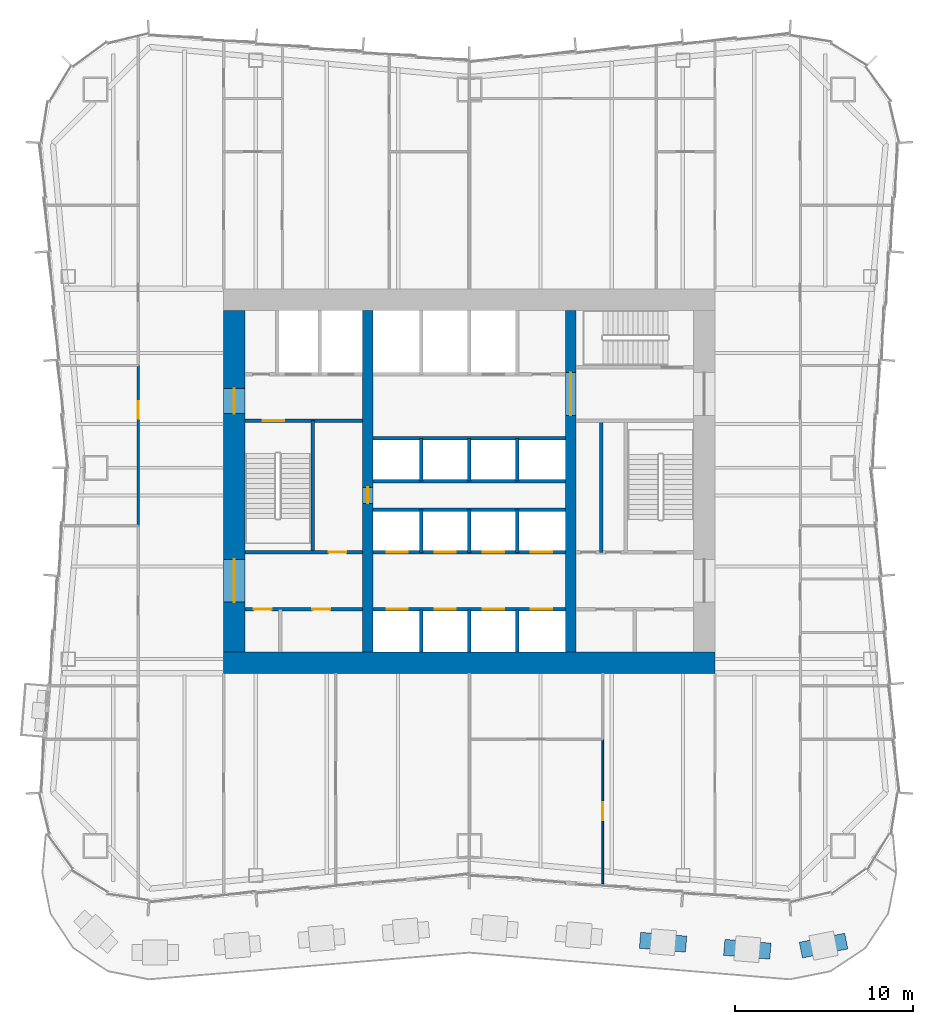
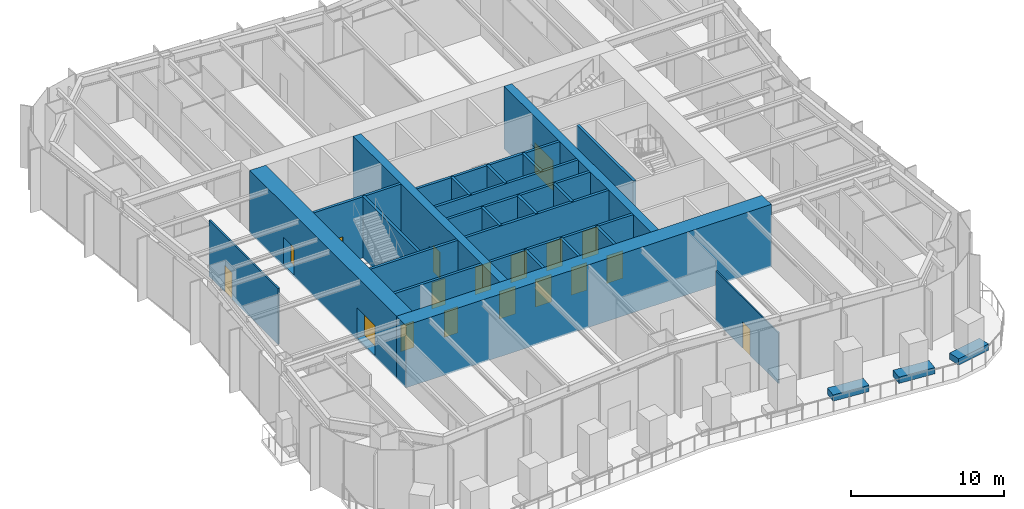
# One storey, part 9 of 15: 28 walls, 18 doors, 18 openings.
"""IFC4 building model written with IfcOpenShell, lengths in metres."""

from ifc_helpers import new_model, si_unit, direction, frame, frame_2d, origin, place, context, subcontext, project, spatial, rectangle, extrude, material, layer, layer_set, type_object, element, fill, save


model = new_model("IFC4")

# Units and contexts
model_context = context("Model", 3, precision=1e-05, world=origin(), true_north=direction((0.0, 1.0)))
body_context = subcontext(model_context, "Body", "Model", "MODEL_VIEW")
ifc_project = project(units=[si_unit("LENGTHUNIT", "METRE"), si_unit("AREAUNIT", "SQUARE_METRE"), si_unit("VOLUMEUNIT", "CUBIC_METRE"), si_unit("PLANEANGLEUNIT", "RADIAN"), si_unit("MASSUNIT", "GRAM", prefix="KILO")], contexts=[model_context])

# Site, building, storey
site_placement = place(None, origin())
site = spatial("IfcSite", under=ifc_project, at=site_placement, CompositionType="ELEMENT")
building_placement = place(site_placement, origin())
building = spatial("IfcBuilding", under=site, at=building_placement, Name="Verdant Reach Tower", CompositionType="ELEMENT")
storey_placement = place(building_placement, frame((0.0, 0.0, 65.0)))
storey = spatial("IfcBuildingStorey", under=building, at=storey_placement, Name="L14", CompositionType="ELEMENT", Elevation=65.0)

# Wall, openings, doors
ifc_material_1 = material(Name="Gypsum board on steel studs", Category="steel")
ifc_layer_1 = layer(ifc_material_1, 0.199951171875)
ifc_layer_set_1 = layer_set([ifc_layer_1], Name="CO-WALL-ROOM")
wall_type_1 = type_object("IfcWallType", Name="CO-WALL-ROOM", PredefinedType="PARTITIONING", material=ifc_layer_set_1)
wall_1_placement = place(storey_placement, frame((-12.60009765625, 20.800048828125, 0.0), z_axis=(0.0, 0.0, 1.0), x_axis=(1.0, 0.0, 0.0)))
wall_1 = element("IfcWall", 1, at=wall_1_placement, inside=storey, type_object=wall_type_1, Name="Core partition, L14", PredefinedType="PARTITIONING", context=body_context, shape_type="SweptSolid", body=[
    extrude(rectangle(XDim=6.60009765625, YDim=0.199951171875, at=frame_2d((3.300048828125, 0.0))), origin(), (0.0, 0.0, 1.0), 4.8701171875),
])
opening_1_placement = place(wall_1_placement, frame((0.489990234375, 0.0, 0.0)))
opening_1 = element("IfcOpeningElement", 2, at=opening_1_placement, cuts=wall_1, Name="Opening CD", PredefinedType="OPENING", context=body_context, shape_type="SweptSolid", body=[
    extrude(rectangle(XDim=1.0, YDim=2.10009765625, at=frame_2d((0.5, 1.050048828125))), frame((0.0, 0.10986328125, 0.0), z_axis=(0.0, -1.0, 0.0), x_axis=(1.0, 0.0, 0.0)), (0.0, 0.0, 1.0), 0.219970703125),
])
opening_2_placement = place(wall_1_placement, frame((3.7900390625, 0.0, 0.0)))
opening_2 = element("IfcOpeningElement", 3, at=opening_2_placement, cuts=wall_1, Name="Opening CD", PredefinedType="OPENING", context=body_context, shape_type="SweptSolid", body=[
    extrude(rectangle(XDim=1.0, YDim=2.10009765625, at=frame_2d((0.5, 1.050048828125))), frame((0.0, 0.10986328125, 0.0), z_axis=(0.0, -1.0, 0.0), x_axis=(1.0, 0.0, 0.0)), (0.0, 0.0, 1.0), 0.219970703125),
])
ifc_material_2 = material(Name="Timber", Category="wood")
door_type_1 = type_object("IfcDoorType", Name="CO-DOOR-ROOM", OperationType="NOTDEFINED", PredefinedType="DOOR", material=ifc_material_2)
door_1_placement = place(opening_1_placement, origin())
door_1 = element("IfcDoor", 4, at=door_1_placement, inside=storey, type_object=door_type_1, Name="Core room door, L14", OperationType="SINGLE_SWING_RIGHT", OverallHeight=2.10009765625, OverallWidth=1.0, PredefinedType="DOOR", context=body_context, shape_type="SweptSolid", body=[
    extrude(rectangle(XDim=1.0, YDim=2.10009765625, at=frame_2d((0.5, 1.050048828125))), frame((0.0, 0.02490234375, 0.0), z_axis=(0.0, -1.0, 0.0), x_axis=(1.0, 0.0, 0.0)), (0.0, 0.0, 1.0), 0.050048828125),
])
fill(opening_1, door_1)
door_2_placement = place(opening_2_placement, origin())
door_2 = element("IfcDoor", 5, at=door_2_placement, inside=storey, type_object=door_type_1, Name="Core room door, L14", OperationType="SINGLE_SWING_RIGHT", OverallHeight=2.10009765625, OverallWidth=1.0, PredefinedType="DOOR", context=body_context, shape_type="SweptSolid", body=[
    extrude(rectangle(XDim=1.0, YDim=2.10009765625, at=frame_2d((0.5, 1.050048828125))), frame((0.0, 0.02490234375, 0.0), z_axis=(0.0, -1.0, 0.0), x_axis=(1.0, 0.0, 0.0)), (0.0, 0.0, 1.0), 0.050048828125),
])
fill(opening_2, door_2)

# Wall
wall_2_placement = place(storey_placement, frame((7.39990234375, 24.0, 0.0), z_axis=(0.0, 0.0, 1.0), x_axis=(0.0, 1.0, 0.0)))
element("IfcWall", 6, at=wall_2_placement, inside=storey, type_object=wall_type_1, Name="Core partition, L14", PredefinedType="PARTITIONING", context=body_context, shape_type="SweptSolid", body=[
    extrude(rectangle(XDim=7.39990234375, YDim=0.199951171875, at=frame_2d((3.699951171875, 0.0))), origin(), (0.0, 0.0, 1.0), 4.8701171875),
])

# Wall, openings, doors
ifc_material_3 = material(Name="Concrete C40/50", Category="concrete")
ifc_layer_2 = layer(ifc_material_3, 0.199951171875)
ifc_layer_set_2 = layer_set([ifc_layer_2], Name="CO-WALL-SHAFT")
wall_type_2 = type_object("IfcWallType", Name="CO-WALL-SHAFT", PredefinedType="PARTITIONING", material=ifc_layer_set_2)
wall_3_placement = place(storey_placement, frame((-5.39990234375, 20.800048828125, 0.0), z_axis=(0.0, 0.0, 1.0), x_axis=(1.0, 0.0, 0.0)))
wall_3 = element("IfcWall", 7, at=wall_3_placement, inside=storey, type_object=wall_type_2, Name="Lift shaft wall, L14", PredefinedType="PARTITIONING", context=body_context, shape_type="SweptSolid", body=[
    extrude(rectangle(XDim=10.7998046875, YDim=0.199951171875, at=frame_2d((5.39990234375, 0.0))), origin(), (0.0, 0.0, 1.0), 4.8701171875),
])
opening_3_placement = place(wall_3_placement, frame((0.75, 0.0, 0.0)))
opening_3 = element("IfcOpeningElement", 8, at=opening_3_placement, cuts=wall_3, Name="Opening LD-A1", PredefinedType="OPENING", context=body_context, shape_type="SweptSolid", body=[
    extrude(rectangle(XDim=1.199951171875, YDim=2.199951171875, at=frame_2d((0.60009765625, 1.10009765625))), frame((0.0, 0.10986328125, 0.0), z_axis=(0.0, -1.0, 0.0), x_axis=(1.0, 0.0, 0.0)), (0.0, 0.0, 1.0), 0.219970703125),
])
opening_4_placement = place(wall_3_placement, frame((3.449951171875, 0.0, 0.0)))
opening_4 = element("IfcOpeningElement", 9, at=opening_4_placement, cuts=wall_3, Name="Opening LD-A2", PredefinedType="OPENING", context=body_context, shape_type="SweptSolid", body=[
    extrude(rectangle(XDim=1.199951171875, YDim=2.199951171875, at=frame_2d((0.60009765625, 1.10009765625))), frame((0.0, 0.10986328125, 0.0), z_axis=(0.0, -1.0, 0.0), x_axis=(1.0, 0.0, 0.0)), (0.0, 0.0, 1.0), 0.219970703125),
])
opening_5_placement = place(wall_3_placement, frame((6.14990234375, 0.0, 0.0)))
opening_5 = element("IfcOpeningElement", 10, at=opening_5_placement, cuts=wall_3, Name="Opening LD-A3", PredefinedType="OPENING", context=body_context, shape_type="SweptSolid", body=[
    extrude(rectangle(XDim=1.199951171875, YDim=2.199951171875, at=frame_2d((0.60009765625, 1.10009765625))), frame((0.0, 0.10986328125, 0.0), z_axis=(0.0, -1.0, 0.0), x_axis=(1.0, 0.0, 0.0)), (0.0, 0.0, 1.0), 0.219970703125),
])
opening_6_placement = place(wall_3_placement, frame((8.85009765625, 0.0, 0.0)))
opening_6 = element("IfcOpeningElement", 11, at=opening_6_placement, cuts=wall_3, Name="Opening LD-A4", PredefinedType="OPENING", context=body_context, shape_type="SweptSolid", body=[
    extrude(rectangle(XDim=1.199951171875, YDim=2.199951171875, at=frame_2d((0.60009765625, 1.10009765625))), frame((0.0, 0.10986328125, 0.0), z_axis=(0.0, -1.0, 0.0), x_axis=(1.0, 0.0, 0.0)), (0.0, 0.0, 1.0), 0.219970703125),
])
ifc_material_4 = material(Name="Stainless steel", Category="steel")
door_type_2 = type_object("IfcDoorType", Name="CO-DOOR-LANDING", OperationType="SLIDING_TO_LEFT", PredefinedType="DOOR", material=ifc_material_4)
door_3_placement = place(opening_3_placement, origin())
door_3 = element("IfcDoor", 12, at=door_3_placement, inside=storey, type_object=door_type_2, Name="Landing door A1, L14", OperationType="SLIDING_TO_LEFT", OverallHeight=2.199951171875, OverallWidth=1.199951171875, PredefinedType="DOOR", context=body_context, shape_type="SweptSolid", body=[
    extrude(rectangle(XDim=1.199951171875, YDim=2.199951171875, at=frame_2d((0.60009765625, 1.10009765625))), frame((0.0, 0.02490234375, 0.0), z_axis=(0.0, -1.0, 0.0), x_axis=(1.0, 0.0, 0.0)), (0.0, 0.0, 1.0), 0.050048828125),
])
fill(opening_3, door_3)
door_4_placement = place(opening_4_placement, origin())
door_4 = element("IfcDoor", 13, at=door_4_placement, inside=storey, type_object=door_type_2, Name="Landing door A2, L14", OperationType="SLIDING_TO_LEFT", OverallHeight=2.199951171875, OverallWidth=1.199951171875, PredefinedType="DOOR", context=body_context, shape_type="SweptSolid", body=[
    extrude(rectangle(XDim=1.199951171875, YDim=2.199951171875, at=frame_2d((0.60009765625, 1.10009765625))), frame((0.0, 0.02490234375, 0.0), z_axis=(0.0, -1.0, 0.0), x_axis=(1.0, 0.0, 0.0)), (0.0, 0.0, 1.0), 0.050048828125),
])
fill(opening_4, door_4)
door_5_placement = place(opening_5_placement, origin())
door_5 = element("IfcDoor", 14, at=door_5_placement, inside=storey, type_object=door_type_2, Name="Landing door A3, L14", OperationType="SLIDING_TO_LEFT", OverallHeight=2.199951171875, OverallWidth=1.199951171875, PredefinedType="DOOR", context=body_context, shape_type="SweptSolid", body=[
    extrude(rectangle(XDim=1.199951171875, YDim=2.199951171875, at=frame_2d((0.60009765625, 1.10009765625))), frame((0.0, 0.02490234375, 0.0), z_axis=(0.0, -1.0, 0.0), x_axis=(1.0, 0.0, 0.0)), (0.0, 0.0, 1.0), 0.050048828125),
])
fill(opening_5, door_5)
door_6_placement = place(opening_6_placement, origin())
door_6 = element("IfcDoor", 15, at=door_6_placement, inside=storey, type_object=door_type_2, Name="Landing door A4, L14", OperationType="SLIDING_TO_LEFT", OverallHeight=2.199951171875, OverallWidth=1.199951171875, PredefinedType="DOOR", context=body_context, shape_type="SweptSolid", body=[
    extrude(rectangle(XDim=1.199951171875, YDim=2.199951171875, at=frame_2d((0.60009765625, 1.10009765625))), frame((0.0, 0.02490234375, 0.0), z_axis=(0.0, -1.0, 0.0), x_axis=(1.0, 0.0, 0.0)), (0.0, 0.0, 1.0), 0.050048828125),
])
fill(opening_6, door_6)

wall_4_placement = place(storey_placement, frame((-5.39990234375, 24.0, 0.0), z_axis=(0.0, 0.0, 1.0), x_axis=(1.0, 0.0, 0.0)))
wall_4 = element("IfcWall", 16, at=wall_4_placement, inside=storey, type_object=wall_type_2, Name="Lift shaft wall, L14", PredefinedType="PARTITIONING", context=body_context, shape_type="SweptSolid", body=[
    extrude(rectangle(XDim=10.7998046875, YDim=0.199951171875, at=frame_2d((5.39990234375, 0.0))), origin(), (0.0, 0.0, 1.0), 4.8701171875),
])
opening_7_placement = place(wall_4_placement, frame((0.75, 0.0, 0.0)))
opening_7 = element("IfcOpeningElement", 17, at=opening_7_placement, cuts=wall_4, Name="Opening LD-A5", PredefinedType="OPENING", context=body_context, shape_type="SweptSolid", body=[
    extrude(rectangle(XDim=1.199951171875, YDim=2.199951171875, at=frame_2d((0.60009765625, 1.10009765625))), frame((0.0, 0.10986328125, 0.0), z_axis=(0.0, -1.0, 0.0), x_axis=(1.0, 0.0, 0.0)), (0.0, 0.0, 1.0), 0.219970703125),
])
opening_8_placement = place(wall_4_placement, frame((3.449951171875, 0.0, 0.0)))
opening_8 = element("IfcOpeningElement", 18, at=opening_8_placement, cuts=wall_4, Name="Opening LD-A6", PredefinedType="OPENING", context=body_context, shape_type="SweptSolid", body=[
    extrude(rectangle(XDim=1.199951171875, YDim=2.199951171875, at=frame_2d((0.60009765625, 1.10009765625))), frame((0.0, 0.10986328125, 0.0), z_axis=(0.0, -1.0, 0.0), x_axis=(1.0, 0.0, 0.0)), (0.0, 0.0, 1.0), 0.219970703125),
])
opening_9_placement = place(wall_4_placement, frame((6.14990234375, 0.0, 0.0)))
opening_9 = element("IfcOpeningElement", 19, at=opening_9_placement, cuts=wall_4, Name="Opening LD-A7", PredefinedType="OPENING", context=body_context, shape_type="SweptSolid", body=[
    extrude(rectangle(XDim=1.199951171875, YDim=2.199951171875, at=frame_2d((0.60009765625, 1.10009765625))), frame((0.0, 0.10986328125, 0.0), z_axis=(0.0, -1.0, 0.0), x_axis=(1.0, 0.0, 0.0)), (0.0, 0.0, 1.0), 0.219970703125),
])
opening_10_placement = place(wall_4_placement, frame((8.85009765625, 0.0, 0.0)))
opening_10 = element("IfcOpeningElement", 20, at=opening_10_placement, cuts=wall_4, Name="Opening LD-A8", PredefinedType="OPENING", context=body_context, shape_type="SweptSolid", body=[
    extrude(rectangle(XDim=1.199951171875, YDim=2.199951171875, at=frame_2d((0.60009765625, 1.10009765625))), frame((0.0, 0.10986328125, 0.0), z_axis=(0.0, -1.0, 0.0), x_axis=(1.0, 0.0, 0.0)), (0.0, 0.0, 1.0), 0.219970703125),
])
door_7_placement = place(opening_7_placement, origin())
door_7 = element("IfcDoor", 21, at=door_7_placement, inside=storey, type_object=door_type_2, Name="Landing door A5, L14", OperationType="SLIDING_TO_LEFT", OverallHeight=2.199951171875, OverallWidth=1.199951171875, PredefinedType="DOOR", context=body_context, shape_type="SweptSolid", body=[
    extrude(rectangle(XDim=1.199951171875, YDim=2.199951171875, at=frame_2d((0.60009765625, 1.10009765625))), frame((0.0, 0.02490234375, 0.0), z_axis=(0.0, -1.0, 0.0), x_axis=(1.0, 0.0, 0.0)), (0.0, 0.0, 1.0), 0.050048828125),
])
fill(opening_7, door_7)
door_8_placement = place(opening_8_placement, origin())
door_8 = element("IfcDoor", 22, at=door_8_placement, inside=storey, type_object=door_type_2, Name="Landing door A6, L14", OperationType="SLIDING_TO_LEFT", OverallHeight=2.199951171875, OverallWidth=1.199951171875, PredefinedType="DOOR", context=body_context, shape_type="SweptSolid", body=[
    extrude(rectangle(XDim=1.199951171875, YDim=2.199951171875, at=frame_2d((0.60009765625, 1.10009765625))), frame((0.0, 0.02490234375, 0.0), z_axis=(0.0, -1.0, 0.0), x_axis=(1.0, 0.0, 0.0)), (0.0, 0.0, 1.0), 0.050048828125),
])
fill(opening_8, door_8)
door_9_placement = place(opening_9_placement, origin())
door_9 = element("IfcDoor", 23, at=door_9_placement, inside=storey, type_object=door_type_2, Name="Landing door A7, L14", OperationType="SLIDING_TO_LEFT", OverallHeight=2.199951171875, OverallWidth=1.199951171875, PredefinedType="DOOR", context=body_context, shape_type="SweptSolid", body=[
    extrude(rectangle(XDim=1.199951171875, YDim=2.199951171875, at=frame_2d((0.60009765625, 1.10009765625))), frame((0.0, 0.02490234375, 0.0), z_axis=(0.0, -1.0, 0.0), x_axis=(1.0, 0.0, 0.0)), (0.0, 0.0, 1.0), 0.050048828125),
])
fill(opening_9, door_9)
door_10_placement = place(opening_10_placement, origin())
door_10 = element("IfcDoor", 24, at=door_10_placement, inside=storey, type_object=door_type_2, Name="Landing door A8, L14", OperationType="SLIDING_TO_LEFT", OverallHeight=2.199951171875, OverallWidth=1.199951171875, PredefinedType="DOOR", context=body_context, shape_type="SweptSolid", body=[
    extrude(rectangle(XDim=1.199951171875, YDim=2.199951171875, at=frame_2d((0.60009765625, 1.10009765625))), frame((0.0, 0.02490234375, 0.0), z_axis=(0.0, -1.0, 0.0), x_axis=(1.0, 0.0, 0.0)), (0.0, 0.0, 1.0), 0.050048828125),
])
fill(opening_10, door_10)

# Walls
for number, where, z_axis, x_axis, name in (
    (25, (-5.39990234375, 26.39990234375, 0.0), (0.0, 0.0, 1.0), (1.0, 0.0, 0.0), "Lift shaft wall, L14"),
    (26, (-5.39990234375, 28.0, 0.0), (0.0, 0.0, 1.0), (1.0, 0.0, 0.0), "Lift shaft wall, L14"),
    (27, (-5.39990234375, 30.39990234375, 0.0), (0.0, 0.0, 1.0), (1.0, 0.0, 0.0), "Lift shaft wall, L14"),
):
    element("IfcWall", number, at=place(storey_placement, frame(where, z_axis=z_axis, x_axis=x_axis)), inside=storey, type_object=wall_type_2, Name=name, PredefinedType="PARTITIONING", context=body_context, shape_type="SweptSolid", body=[
        extrude(rectangle(XDim=10.7998046875, YDim=0.199951171875, at=frame_2d((5.39990234375, 0.0))), origin(), (0.0, 0.0, 1.0), 4.8701171875),
    ])
wall_5_placement = place(storey_placement, frame((-2.699951171875, 18.39990234375, 0.0), z_axis=(0.0, 0.0, 1.0), x_axis=(0.0, 1.0, 0.0)))
element("IfcWall", 28, at=wall_5_placement, inside=storey, type_object=wall_type_2, Name="Lift shaft wall, L14", PredefinedType="PARTITIONING", context=body_context, shape_type="SweptSolid", body=[
    extrude(rectangle(XDim=2.400146484375, YDim=0.199951171875, at=frame_2d((1.2001953125, 0.0))), origin(), (0.0, 0.0, 1.0), 4.8701171875),
])
for number, where, z_axis, x_axis, name in (
    (29, (-2.699951171875, 24.0, 0.0), (0.0, 0.0, 1.0), (0.0, 1.0, 0.0), "Lift shaft wall, L14"),
    (30, (-2.699951171875, 28.0, 0.0), (0.0, 0.0, 1.0), (0.0, 1.0, 0.0), "Lift shaft wall, L14"),
):
    element("IfcWall", number, at=place(storey_placement, frame(where, z_axis=z_axis, x_axis=x_axis)), inside=storey, type_object=wall_type_2, Name=name, PredefinedType="PARTITIONING", context=body_context, shape_type="SweptSolid", body=[
        extrude(rectangle(XDim=2.39990234375, YDim=0.199951171875, at=frame_2d((1.199951171875, 0.0))), origin(), (0.0, 0.0, 1.0), 4.8701171875),
    ])
wall_6_placement = place(storey_placement, frame((0.0, 18.39990234375, 0.0), z_axis=(0.0, 0.0, 1.0), x_axis=(0.0, 1.0, 0.0)))
element("IfcWall", 31, at=wall_6_placement, inside=storey, type_object=wall_type_2, Name="Lift shaft wall, L14", PredefinedType="PARTITIONING", context=body_context, shape_type="SweptSolid", body=[
    extrude(rectangle(XDim=2.400146484375, YDim=0.199951171875, at=frame_2d((1.2001953125, 0.0))), origin(), (0.0, 0.0, 1.0), 4.8701171875),
])
for number, where, z_axis, x_axis, name in (
    (32, (0.0, 24.0, 0.0), (0.0, 0.0, 1.0), (0.0, 1.0, 0.0), "Lift shaft wall, L14"),
    (33, (0.0, 28.0, 0.0), (0.0, 0.0, 1.0), (0.0, 1.0, 0.0), "Lift shaft wall, L14"),
):
    element("IfcWall", number, at=place(storey_placement, frame(where, z_axis=z_axis, x_axis=x_axis)), inside=storey, type_object=wall_type_2, Name=name, PredefinedType="PARTITIONING", context=body_context, shape_type="SweptSolid", body=[
        extrude(rectangle(XDim=2.39990234375, YDim=0.199951171875, at=frame_2d((1.199951171875, 0.0))), origin(), (0.0, 0.0, 1.0), 4.8701171875),
    ])
wall_7_placement = place(storey_placement, frame((2.699951171875, 18.39990234375, 0.0), z_axis=(0.0, 0.0, 1.0), x_axis=(0.0, 1.0, 0.0)))
element("IfcWall", 34, at=wall_7_placement, inside=storey, type_object=wall_type_2, Name="Lift shaft wall, L14", PredefinedType="PARTITIONING", context=body_context, shape_type="SweptSolid", body=[
    extrude(rectangle(XDim=2.400146484375, YDim=0.199951171875, at=frame_2d((1.2001953125, 0.0))), origin(), (0.0, 0.0, 1.0), 4.8701171875),
])
for number, where, z_axis, x_axis, name in (
    (35, (2.699951171875, 24.0, 0.0), (0.0, 0.0, 1.0), (0.0, 1.0, 0.0), "Lift shaft wall, L14"),
    (36, (2.699951171875, 28.0, 0.0), (0.0, 0.0, 1.0), (0.0, 1.0, 0.0), "Lift shaft wall, L14"),
):
    element("IfcWall", number, at=place(storey_placement, frame(where, z_axis=z_axis, x_axis=x_axis)), inside=storey, type_object=wall_type_2, Name=name, PredefinedType="PARTITIONING", context=body_context, shape_type="SweptSolid", body=[
        extrude(rectangle(XDim=2.39990234375, YDim=0.199951171875, at=frame_2d((1.199951171875, 0.0))), origin(), (0.0, 0.0, 1.0), 4.8701171875),
    ])

# Wall, opening, door
ifc_layer_3 = layer(ifc_material_3, 0.199951171875)
ifc_layer_set_3 = layer_set([ifc_layer_3], Name="CO-WALL-STAIR")
wall_type_3 = type_object("IfcWallType", Name="CO-WALL-STAIR", PredefinedType="PARTITIONING", material=ifc_layer_set_3)
wall_8_placement = place(storey_placement, frame((-12.60009765625, 24.0, 0.0), z_axis=(0.0, 0.0, 1.0), x_axis=(1.0, 0.0, 0.0)))
wall_8 = element("IfcWall", 37, at=wall_8_placement, inside=storey, type_object=wall_type_3, Name="Stair enclosure wall, L14", PredefinedType="PARTITIONING", context=body_context, shape_type="SweptSolid", body=[
    extrude(rectangle(XDim=6.60009765625, YDim=0.199951171875, at=frame_2d((3.300048828125, 0.0))), origin(), (0.0, 0.0, 1.0), 4.8701171875),
])
opening_11_placement = place(wall_8_placement, frame((4.699951171875, 0.0, 0.0)))
opening_11 = element("IfcOpeningElement", 38, at=opening_11_placement, cuts=wall_8, Name="Opening CD", PredefinedType="OPENING", context=body_context, shape_type="SweptSolid", body=[
    extrude(rectangle(XDim=1.0, YDim=2.10009765625, at=frame_2d((0.5, 1.050048828125))), frame((0.0, 0.10986328125, 0.0), z_axis=(0.0, -1.0, 0.0), x_axis=(1.0, 0.0, 0.0)), (0.0, 0.0, 1.0), 0.219970703125),
])
door_11_placement = place(opening_11_placement, origin())
door_11 = element("IfcDoor", 39, at=door_11_placement, inside=storey, type_object=door_type_1, Name="Core room door, L14", OperationType="SINGLE_SWING_RIGHT", OverallHeight=2.10009765625, OverallWidth=1.0, PredefinedType="DOOR", context=body_context, shape_type="SweptSolid", body=[
    extrude(rectangle(XDim=1.0, YDim=2.10009765625, at=frame_2d((0.5, 1.050048828125))), frame((0.0, 0.02490234375, 0.0), z_axis=(0.0, -1.0, 0.0), x_axis=(1.0, 0.0, 0.0)), (0.0, 0.0, 1.0), 0.050048828125),
])
fill(opening_11, door_11)

wall_9_placement = place(storey_placement, frame((-12.60009765625, 31.39990234375, 0.0), z_axis=(0.0, 0.0, 1.0), x_axis=(1.0, 0.0, 0.0)))
wall_9 = element("IfcWall", 40, at=wall_9_placement, inside=storey, type_object=wall_type_3, Name="Stair enclosure wall, L14", PredefinedType="PARTITIONING", context=body_context, shape_type="SweptSolid", body=[
    extrude(rectangle(XDim=6.60009765625, YDim=0.199951171875, at=frame_2d((3.300048828125, 0.0))), origin(), (0.0, 0.0, 1.0), 4.8701171875),
])
opening_12_placement = place(wall_9_placement, frame((1.0, 0.0, 0.0)))
opening_12 = element("IfcOpeningElement", 41, at=opening_12_placement, cuts=wall_9, Name="Opening SD", PredefinedType="OPENING", context=body_context, shape_type="SweptSolid", body=[
    extrude(rectangle(XDim=1.199951171875, YDim=2.199951171875, at=frame_2d((0.60009765625, 1.10009765625))), frame((0.0, 0.10986328125, 0.0), z_axis=(0.0, -1.0, 0.0), x_axis=(1.0, 0.0, 0.0)), (0.0, 0.0, 1.0), 0.219970703125),
])
ifc_material_5 = material(Name="Steel", Category="steel")
door_type_3 = type_object("IfcDoorType", Name="CO-DOOR-STAIR", OperationType="NOTDEFINED", PredefinedType="DOOR", material=ifc_material_5)
door_12_placement = place(opening_12_placement, origin())
door_12 = element("IfcDoor", 42, at=door_12_placement, inside=storey, type_object=door_type_3, Name="Stair door, L14", OperationType="SINGLE_SWING_LEFT", OverallHeight=2.199951171875, OverallWidth=1.199951171875, PredefinedType="DOOR", context=body_context, shape_type="SweptSolid", body=[
    extrude(rectangle(XDim=1.199951171875, YDim=2.199951171875, at=frame_2d((0.60009765625, 1.10009765625))), frame((0.0, 0.02490234375, 0.0), z_axis=(0.0, -1.0, 0.0), x_axis=(1.0, 0.0, 0.0)), (0.0, 0.0, 1.0), 0.050048828125),
])
fill(opening_12, door_12)

# Walls
wall_10_placement = place(storey_placement, frame((-8.800048828125, 24.0, 0.0), z_axis=(0.0, 0.0, 1.0), x_axis=(0.0, 1.0, 0.0)))
element("IfcWall", 43, at=wall_10_placement, inside=storey, type_object=wall_type_3, Name="Stair enclosure wall, L14", PredefinedType="PARTITIONING", context=body_context, shape_type="SweptSolid", body=[
    extrude(rectangle(XDim=7.39990234375, YDim=0.199951171875, at=frame_2d((3.699951171875, 0.0))), origin(), (0.0, 0.0, 1.0), 4.8701171875),
])
ifc_material_6 = material(Name="Precast concrete C30/37", Category="concrete")
ifc_layer_4 = layer(ifc_material_6, 0.89990234375)
ifc_layer_set_4 = layer_set([ifc_layer_4], Name="EN-PLANTER TERRACE")
wall_type_4 = type_object("IfcWallType", Name="EN-PLANTER TERRACE", PredefinedType="USERDEFINED", material=ifc_layer_set_4)
for number, where, z_axis, x_axis, name in (
    (44, (21.1767578125, 2.161376953125, 0.0), (0.0, 0.0, 1.0), (-0.980778805994, -0.195122868248, 0.0), "Terrace planter 1, L14"),
    (45, (16.9150390625, 1.595703125, 0.0), (0.0, 0.0, 1.0), (-0.99654899538, 0.083006625075, 0.0), "Terrace planter 2, L14"),
    (46, (12.18017578125, 1.990234375, 0.0), (0.0, 0.0, 1.0), (-0.99654899538, 0.083006625075, 0.0), "Terrace planter 3, L14"),
):
    element("IfcWall", number, at=place(storey_placement, frame(where, z_axis=z_axis, x_axis=x_axis)), inside=storey, type_object=wall_type_4, Name=name, ObjectType="PLANTER", PredefinedType="USERDEFINED", context=body_context, shape_type="SweptSolid", body=[
        extrude(rectangle(XDim=2.60009765625, YDim=0.89990234375, at=frame_2d((1.300048828125, 0.0))), origin(), (0.0, 0.0, 1.0), 0.5),
    ])

# Wall, opening, door
ifc_layer_5 = layer(ifc_material_1, 0.10009765625)
ifc_layer_set_5 = layer_set([ifc_layer_5], Name="FL-W1 Partition 100")
wall_type_5 = type_object("IfcWallType", Name="FL-W1 Partition 100", PredefinedType="PARTITIONING", material=ifc_layer_set_5)
wall_11_placement = place(storey_placement, frame((7.5, 5.294921875, 0.0), z_axis=(0.0, 0.0, 1.0), x_axis=(0.0, 1.0, 0.0)))
wall_11 = element("IfcWall", 47, at=wall_11_placement, inside=storey, type_object=wall_type_5, Name="Partition 14.38", PredefinedType="PARTITIONING", context=body_context, shape_type="SweptSolid", body=[
    extrude(rectangle(XDim=8.205078125, YDim=0.10009765625, at=frame_2d((4.1025390625, 0.0))), origin(), (0.0, 0.0, 1.0), 4.0400390625),
])
opening_13_placement = place(wall_11_placement, frame((3.66748046875, 0.0, 0.0)))
opening_13 = element("IfcOpeningElement", 48, at=opening_13_placement, cuts=wall_11, Name="Opening D3", PredefinedType="OPENING", context=body_context, shape_type="SweptSolid", body=[
    extrude(rectangle(XDim=1.0, YDim=2.10009765625, at=frame_2d((0.5, 1.050048828125))), frame((0.0, 0.06005859375, 0.0), z_axis=(0.0, -1.0, 0.0), x_axis=(1.0, 0.0, 0.0)), (0.0, 0.0, 1.0), 0.1201171875),
])
ifc_material_7 = material(Name="Painted timber door leaf", Category="wood")
door_type_4 = type_object("IfcDoorType", Name="FL-D3 Door 1000x2100", OperationType="NOTDEFINED", PredefinedType="DOOR", material=ifc_material_7)
door_13_placement = place(opening_13_placement, origin())
door_13 = element("IfcDoor", 49, at=door_13_placement, inside=storey, type_object=door_type_4, Name="Door 14-022", OperationType="SINGLE_SWING_RIGHT", OverallHeight=2.10009765625, OverallWidth=1.0, PredefinedType="DOOR", context=body_context, shape_type="SweptSolid", body=[
    extrude(rectangle(XDim=1.0, YDim=2.10009765625, at=frame_2d((0.5, 1.050048828125))), frame((0.0, 0.02490234375, 0.0), z_axis=(0.0, -1.0, 0.0), x_axis=(1.0, 0.0, 0.0)), (0.0, 0.0, 1.0), 0.050048828125),
])
fill(opening_13, door_13)

ifc_material_8 = material(Name="Gypsum board on steel studs, fire rated", Category="steel")
ifc_layer_6 = layer(ifc_material_8, 0.125)
ifc_layer_set_6 = layer_set([ifc_layer_6], Name="FL-W2 Corridor wall 125")
wall_type_6 = type_object("IfcWallType", Name="FL-W2 Corridor wall 125", PredefinedType="PARTITIONING", material=ifc_layer_set_6)
wall_12_placement = place(storey_placement, frame((-18.60009765625, 25.5, 0.0), z_axis=(0.0, 0.0, 1.0), x_axis=(0.0, 1.0, 0.0)))
wall_12 = element("IfcWall", 50, at=wall_12_placement, inside=storey, type_object=wall_type_6, Name="Partition 14.04", PredefinedType="PARTITIONING", context=body_context, shape_type="SweptSolid", body=[
    extrude(rectangle(XDim=9.0, YDim=0.125, at=frame_2d((4.5, 0.0))), origin(), (0.0, 0.0, 1.0), 4.47998046875),
])
opening_14_placement = place(wall_12_placement, frame((6.0, 0.0, 0.0)))
opening_14 = element("IfcOpeningElement", 51, at=opening_14_placement, cuts=wall_12, Name="Opening D2", PredefinedType="OPENING", context=body_context, shape_type="SweptSolid", body=[
    extrude(rectangle(XDim=1.0, YDim=2.10009765625, at=frame_2d((0.5, 1.050048828125))), frame((0.0, 0.072509765625, 0.0), z_axis=(0.0, -1.0, 0.0), x_axis=(1.0, 0.0, 0.0)), (0.0, 0.0, 1.0), 0.14501953125),
])
ifc_material_9 = material(Name="Timber door leaf, fire rated", Category="wood")
door_type_5 = type_object("IfcDoorType", Name="FL-D2 Entrance door 1000x2100 FD30", OperationType="NOTDEFINED", PredefinedType="DOOR", material=ifc_material_9)
door_14_placement = place(opening_14_placement, origin())
door_14 = element("IfcDoor", 52, at=door_14_placement, inside=storey, type_object=door_type_5, Name="Door 14-004", OperationType="SINGLE_SWING_RIGHT", OverallHeight=2.10009765625, OverallWidth=1.0, PredefinedType="DOOR", context=body_context, shape_type="SweptSolid", body=[
    extrude(rectangle(XDim=1.0, YDim=2.10009765625, at=frame_2d((0.5, 1.050048828125))), frame((0.0, 0.02490234375, 0.0), z_axis=(0.0, -1.0, 0.0), x_axis=(1.0, 0.0, 0.0)), (0.0, 0.0, 1.0), 0.050048828125),
])
fill(opening_14, door_14)

# Wall
ifc_material_10 = material(Name="Concrete C70/85", Category="concrete")
ifc_layer_7 = layer(ifc_material_10, 1.199951171875)
ifc_layer_set_7 = layer_set([ifc_layer_7], Name="ST-CORE-WALL-1200")
wall_type_7 = type_object("IfcWallType", Name="ST-CORE-WALL-1200", PredefinedType="SHEAR", material=ifc_layer_set_7)
wall_13_placement = place(storey_placement, frame((-13.800048828125, 17.800048828125, -0.1298828125), z_axis=(0.0, 0.0, 1.0), x_axis=(1.0, 0.0, 0.0)))
element("IfcWall", 53, at=wall_13_placement, inside=storey, type_object=wall_type_7, Name="Core wall S, L14", PredefinedType="SHEAR", context=body_context, shape_type="SweptSolid", body=[
    extrude(rectangle(XDim=27.60009765625, YDim=1.199951171875, at=frame_2d((13.800048828125, 0.0))), origin(), (0.0, 0.0, 1.0), 5.0),
])

# Wall, openings, doors
wall_14_placement = place(storey_placement, frame((-13.199951171875, 18.39990234375, -0.1298828125), z_axis=(0.0, 0.0, 1.0), x_axis=(0.0, 1.0, 0.0)))
wall_14 = element("IfcWall", 54, at=wall_14_placement, inside=storey, type_object=wall_type_7, Name="Core wall W, L14", PredefinedType="SHEAR", context=body_context, shape_type="SweptSolid", body=[
    extrude(rectangle(XDim=19.2001953125, YDim=1.199951171875, at=frame_2d((9.60009765625, 0.0))), origin(), (0.0, 0.0, 1.0), 5.0),
])
opening_15_placement = place(wall_14_placement, frame((2.800048828125, 0.0, 0.1298828125)))
opening_15 = element("IfcOpeningElement", 55, at=opening_15_placement, cuts=wall_14, Name="Opening LB", PredefinedType="OPENING", context=body_context, shape_type="SweptSolid", body=[
    extrude(rectangle(XDim=2.39990234375, YDim=2.39990234375, at=frame_2d((1.199951171875, 1.199951171875))), frame((0.0, 0.60986328125, 0.0), z_axis=(0.0, -1.0, 0.0), x_axis=(1.0, 0.0, 0.0)), (0.0, 0.0, 1.0), 1.219970703125),
])
opening_16_placement = place(wall_14_placement, frame((13.39990234375, 0.0, 0.1298828125)))
opening_16 = element("IfcOpeningElement", 56, at=opening_16_placement, cuts=wall_14, Name="Opening FL", PredefinedType="OPENING", context=body_context, shape_type="SweptSolid", body=[
    extrude(rectangle(XDim=1.39990234375, YDim=2.199951171875, at=frame_2d((0.699951171875, 1.10009765625))), frame((0.0, 0.60986328125, 0.0), z_axis=(0.0, -1.0, 0.0), x_axis=(1.0, 0.0, 0.0)), (0.0, 0.0, 1.0), 1.219970703125),
])
door_type_6 = type_object("IfcDoorType", Name="CO-DOOR-FFL", OperationType="NOTDEFINED", PredefinedType="DOOR", material=ifc_material_5)
door_15_placement = place(opening_16_placement, origin())
door_15 = element("IfcDoor", 57, at=door_15_placement, inside=storey, type_object=door_type_6, Name="Core entrance door, L14", OperationType="SINGLE_SWING_LEFT", OverallHeight=2.199951171875, OverallWidth=1.39990234375, PredefinedType="DOOR", context=body_context, shape_type="SweptSolid", body=[
    extrude(rectangle(XDim=1.39990234375, YDim=2.199951171875, at=frame_2d((0.699951171875, 1.10009765625))), frame((0.0, 0.02490234375, 0.0), z_axis=(0.0, -1.0, 0.0), x_axis=(1.0, 0.0, 0.0)), (0.0, 0.0, 1.0), 0.050048828125),
])
fill(opening_16, door_15)
ifc_material_11 = material(Name="Glass and steel", Category="steel")
door_type_7 = type_object("IfcDoorType", Name="CO-DOOR-LOBBY", OperationType="DOUBLE_DOOR_SINGLE_SWING", PredefinedType="DOOR", material=ifc_material_11)
door_16_placement = place(opening_15_placement, origin())
door_16 = element("IfcDoor", 58, at=door_16_placement, inside=storey, type_object=door_type_7, Name="Core entrance door, L14", OperationType="DOUBLE_DOOR_SINGLE_SWING", OverallHeight=2.39990234375, OverallWidth=2.39990234375, PredefinedType="DOOR", context=body_context, shape_type="SweptSolid", body=[
    extrude(rectangle(XDim=2.39990234375, YDim=2.39990234375, at=frame_2d((1.199951171875, 1.199951171875))), frame((0.0, 0.02490234375, 0.0), z_axis=(0.0, -1.0, 0.0), x_axis=(1.0, 0.0, 0.0)), (0.0, 0.0, 1.0), 0.050048828125),
])
fill(opening_15, door_16)

# Wall, opening, door
ifc_layer_8 = layer(ifc_material_10, 0.60009765625)
ifc_layer_set_8 = layer_set([ifc_layer_8], Name="ST-CORE-WALL-600")
wall_type_8 = type_object("IfcWallType", Name="ST-CORE-WALL-600", PredefinedType="SHEAR", material=ifc_layer_set_8)
wall_15_placement = place(storey_placement, frame((-5.699951171875, 18.39990234375, -0.1298828125), z_axis=(0.0, 0.0, 1.0), x_axis=(0.0, 1.0, 0.0)))
wall_15 = element("IfcWall", 59, at=wall_15_placement, inside=storey, type_object=wall_type_8, Name="Core wall XW, L14", PredefinedType="SHEAR", context=body_context, shape_type="SweptSolid", body=[
    extrude(rectangle(XDim=19.2001953125, YDim=0.60009765625, at=frame_2d((9.60009765625, 0.0))), origin(), (0.0, 0.0, 1.0), 5.0),
])
opening_17_placement = place(wall_15_placement, frame((8.35009765625, 0.0, 0.1298828125)))
opening_17 = element("IfcOpeningElement", 60, at=opening_17_placement, cuts=wall_15, Name="Opening RD", PredefinedType="OPENING", context=body_context, shape_type="SweptSolid", body=[
    extrude(rectangle(XDim=0.89990234375, YDim=2.10009765625, at=frame_2d((0.449951171875, 1.050048828125))), frame((0.0, 0.31005859375, 0.0), z_axis=(0.0, -1.0, 0.0), x_axis=(1.0, 0.0, 0.0)), (0.0, 0.0, 1.0), 0.6201171875),
])
door_type_8 = type_object("IfcDoorType", Name="CO-DOOR-RISER", OperationType="NOTDEFINED", PredefinedType="DOOR", material=ifc_material_5)
door_17_placement = place(opening_17_placement, origin())
door_17 = element("IfcDoor", 61, at=door_17_placement, inside=storey, type_object=door_type_8, Name="Riser door, L14", OperationType="SINGLE_SWING_LEFT", OverallHeight=2.10009765625, OverallWidth=0.89990234375, PredefinedType="DOOR", context=body_context, shape_type="SweptSolid", body=[
    extrude(rectangle(XDim=0.89990234375, YDim=2.10009765625, at=frame_2d((0.449951171875, 1.050048828125))), frame((0.0, 0.02490234375, 0.0), z_axis=(0.0, -1.0, 0.0), x_axis=(1.0, 0.0, 0.0)), (0.0, 0.0, 1.0), 0.050048828125),
])
fill(opening_17, door_17)

wall_16_placement = place(storey_placement, frame((5.699951171875, 18.39990234375, -0.1298828125), z_axis=(0.0, 0.0, 1.0), x_axis=(0.0, 1.0, 0.0)))
wall_16 = element("IfcWall", 62, at=wall_16_placement, inside=storey, type_object=wall_type_8, Name="Core wall XE, L14", PredefinedType="SHEAR", context=body_context, shape_type="SweptSolid", body=[
    extrude(rectangle(XDim=19.2001953125, YDim=0.60009765625, at=frame_2d((9.60009765625, 0.0))), origin(), (0.0, 0.0, 1.0), 5.0),
])
opening_18_placement = place(wall_16_placement, frame((13.300048828125, 0.0, 0.1298828125)))
opening_18 = element("IfcOpeningElement", 63, at=opening_18_placement, cuts=wall_16, Name="Opening LB", PredefinedType="OPENING", context=body_context, shape_type="SweptSolid", body=[
    extrude(rectangle(XDim=2.39990234375, YDim=2.39990234375, at=frame_2d((1.199951171875, 1.199951171875))), frame((0.0, 0.31005859375, 0.0), z_axis=(0.0, -1.0, 0.0), x_axis=(1.0, 0.0, 0.0)), (0.0, 0.0, 1.0), 0.6201171875),
])
door_18_placement = place(opening_18_placement, origin())
door_18 = element("IfcDoor", 64, at=door_18_placement, inside=storey, type_object=door_type_7, Name="Core entrance door, L14", OperationType="DOUBLE_DOOR_SINGLE_SWING", OverallHeight=2.39990234375, OverallWidth=2.39990234375, PredefinedType="DOOR", context=body_context, shape_type="SweptSolid", body=[
    extrude(rectangle(XDim=2.39990234375, YDim=2.39990234375, at=frame_2d((1.199951171875, 1.199951171875))), frame((0.0, 0.02490234375, 0.0), z_axis=(0.0, -1.0, 0.0), x_axis=(1.0, 0.0, 0.0)), (0.0, 0.0, 1.0), 0.050048828125),
])
fill(opening_18, door_18)

save(model, "model.ifc")
